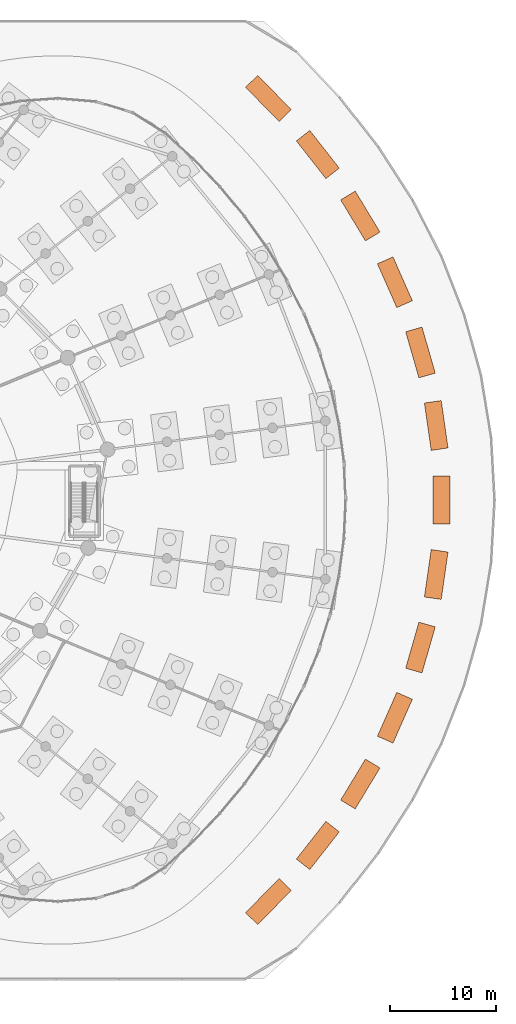
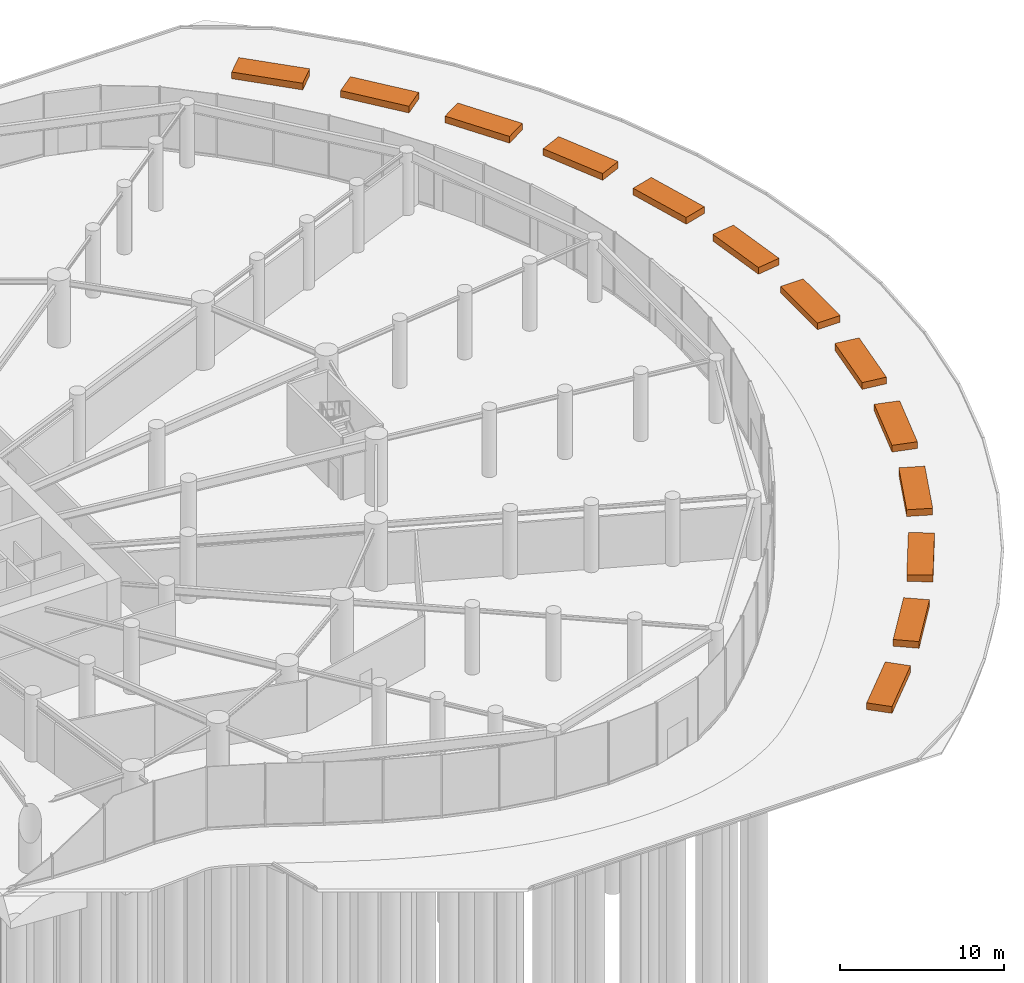
# One storey, part 28 of 28: 13 proxies.
"""IFC4 building model written with IfcOpenShell, lengths in metres."""

from ifc_helpers import new_model, si_unit, direction, frame, origin, origin_2d, place, context, subcontext, project, spatial, rectangle, extrude, source, transform, mapped, element, save


model = new_model("IFC4")

# Units and contexts
model_context = context("Model", 3, precision=1e-05, world=origin(), true_north=direction((0.0, 1.0)))
body_context = subcontext(model_context, "Body", "Model", "MODEL_VIEW")
ifc_project = project(units=[si_unit("LENGTHUNIT", "METRE"), si_unit("AREAUNIT", "SQUARE_METRE"), si_unit("VOLUMEUNIT", "CUBIC_METRE"), si_unit("PLANEANGLEUNIT", "RADIAN"), si_unit("MASSUNIT", "GRAM", prefix="KILO")], contexts=[model_context])

# Site, building, storey
site_placement = place(None, origin())
site = spatial("IfcSite", under=ifc_project, at=site_placement, CompositionType="ELEMENT")
building_placement = place(site_placement, origin())
building = spatial("IfcBuilding", under=site, at=building_placement, Name="Spindrift Exchange Tower", CompositionType="ELEMENT")
storey_placement = place(building_placement, origin())
storey = spatial("IfcBuildingStorey", under=building, at=storey_placement, Name="L00", CompositionType="ELEMENT", Elevation=0.0)

# Proxies
shared_shape = source(origin(), body_context, "Body", "SweptSolid", [
    extrude(rectangle(XDim=4.5, YDim=1.60009765625, at=origin_2d()), origin(), (0.0, 0.0, 1.0), 0.5),
])
for number, where, z_axis, x_axis, name in (
    (1, (103.092041015625, 85.70849609375, 0.0), (0.0, 0.0, 1.0), (0.701770193837, -0.71240339348, 0.0), "L00 PLANTER 01"),
    (2, (107.730224609375, 80.44189453125, 0.0), (0.0, 0.0, 1.0), (0.617002911542, -0.786960867609, 0.0), "L00 PLANTER 02"),
    (3, (111.72119140625, 74.669677734375, 0.0), (0.0, 0.0, 1.0), (0.517867260869, -0.855460986907, 0.0), "L00 PLANTER 03"),
    (4, (114.96630859375, 68.4482421875, 0.0), (0.0, 0.0, 1.0), (0.403968433231, -0.91477292535, 0.0), "L00 PLANTER 04"),
    (5, (117.367919921875, 61.855712890625, 0.0), (0.0, 0.0, 1.0), (0.276997708664, -0.9608705789, 0.0), "L00 PLANTER 05"),
    (6, (118.84716796875, 54.997802734375, 0.0), (0.0, 0.0, 1.0), (0.142953693279, -0.98972937795, 0.0), "L00 PLANTER 06"),
    (7, (119.349365234375, 48.0, 0.0), (0.0, 0.0, 1.0), (0.0, -1.0, 0.0), "L00 PLANTER 07"),
    (8, (118.84716796875, 41.002197265625, 0.0), (0.0, 0.0, 1.0), (-0.142953693279, -0.98972937795, 0.0), "L00 PLANTER 08"),
    (9, (117.367919921875, 34.144287109375, 0.0), (0.0, 0.0, 1.0), (-0.276997708664, -0.9608705789, 0.0), "L00 PLANTER 09"),
    (10, (114.96630859375, 27.5517578125, 0.0), (0.0, 0.0, 1.0), (-0.403968433231, -0.91477292535, 0.0), "L00 PLANTER 10"),
    (11, (111.72119140625, 21.330322265625, 0.0), (0.0, 0.0, 1.0), (-0.517867260869, -0.855460986907, 0.0), "L00 PLANTER 11"),
    (12, (107.730224609375, 15.55810546875, 0.0), (0.0, 0.0, 1.0), (-0.617002911542, -0.786960867609, 0.0), "L00 PLANTER 12"),
    (13, (103.092041015625, 10.29150390625, 0.0), (0.0, 0.0, 1.0), (-0.701770193837, -0.71240339348, 0.0), "L00 PLANTER 13"),
):
    element("IfcBuildingElementProxy", number, at=place(storey_placement, frame(where, z_axis=z_axis, x_axis=x_axis)), inside=storey, Name=name, ObjectType="PLANTER", PredefinedType="USERDEFINED", context=body_context, shape_type="MappedRepresentation", body=[
        mapped(shared_shape, transform((0.0, 0.0, 0.0), scale=1.0)),
    ])

save(model, "model.ifc")
